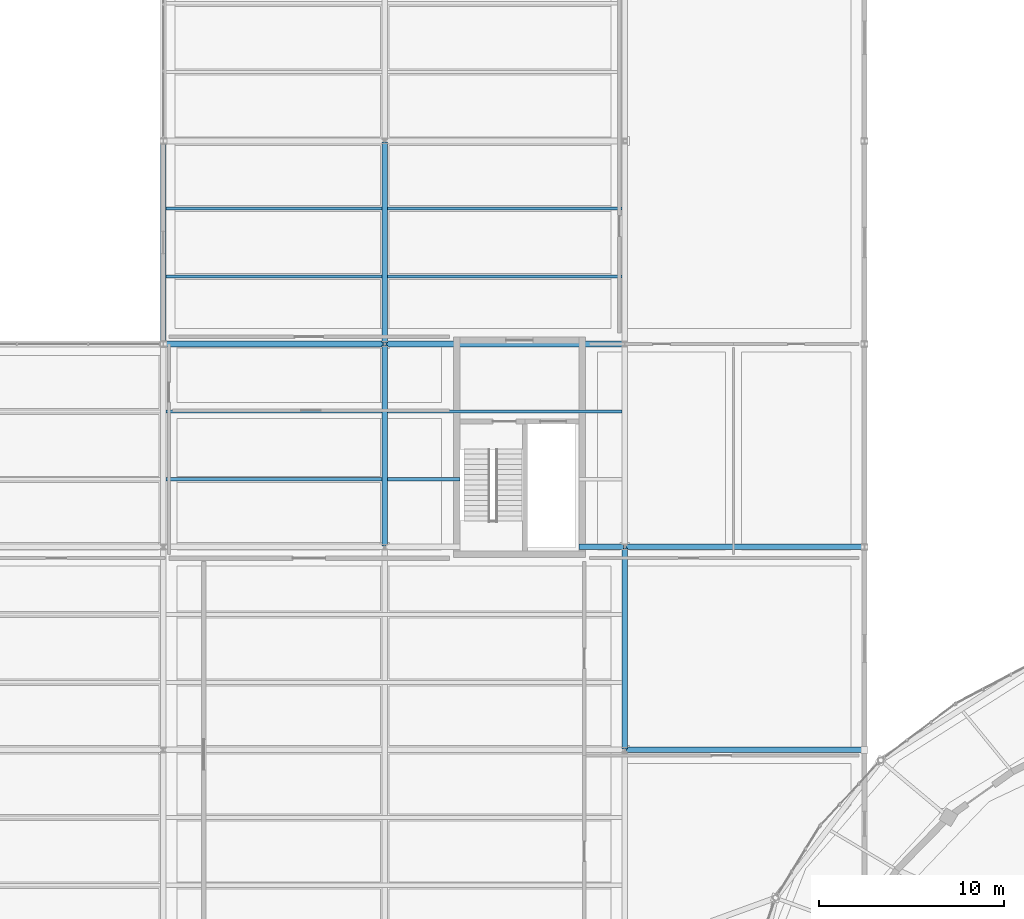
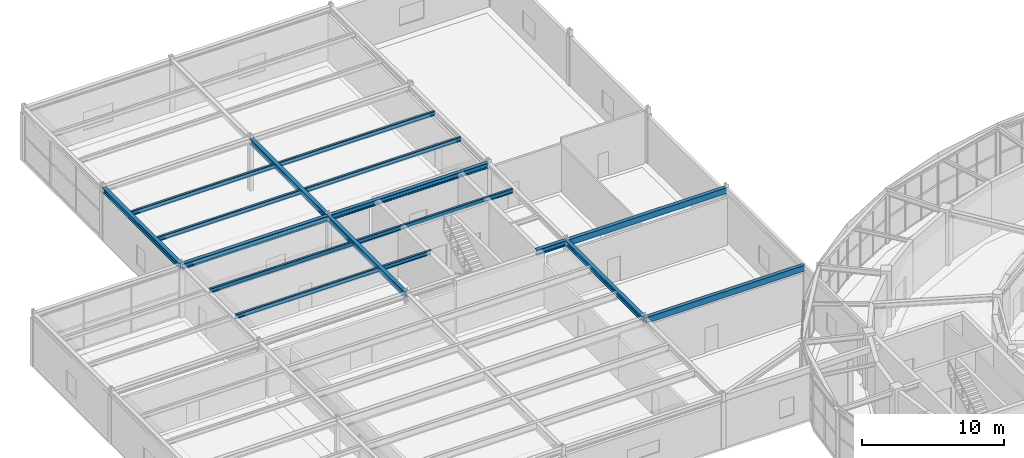
# One storey, part 53 of 108: 17 beams.
"""IFC4 building model written with IfcOpenShell, lengths in metres."""

import ifcopenshell
import ifcopenshell.guid

model = None  # the IFC model being written
_history = None  # IfcOwnerHistory: only IFC2X3 demands one
_inside = {}  # id of a spatial element -> (the spatial element, [elements in it])
_under = {}  # id of a project, library or spatial element -> (it, [spatial elements below it])
_declared = {}  # id of a project -> (the project, [libraries it declares])
_typed = {}  # id of a type object -> (the type object, [elements of that type])
_made_of = {}  # id of a material, layer set ... -> (it, [elements and type objects made of it])


def new_model(schema):
    """Start an empty IFC model of exactly this schema.

    Asked for "IFC4X3", IfcOpenShell would pick the latest addendum, in which some entities
    have other attributes; the version numbers below select the first issue.
    IFC2X3 requires an IfcOwnerHistory on every rooted entity: one is made here for all.
    """
    global model, _history
    if schema == "IFC4X3":
        model = ifcopenshell.file(schema_version=(4, 3, 0, 0))
    else:
        model = ifcopenshell.file(schema=schema)
    _inside.clear()
    _under.clear()
    _declared.clear()
    _typed.clear()
    _made_of.clear()
    _history = None
    if model.schema == "IFC2X3":
        org = make("IfcOrganization", Name="unknown")
        user = make(
            "IfcPersonAndOrganization",
            ThePerson=make("IfcPerson", FamilyName="unknown"),
            TheOrganization=org,
        )
        app = make(
            "IfcApplication",
            ApplicationDeveloper=org,
            Version="unknown",
            ApplicationFullName="unknown",
            ApplicationIdentifier="unknown",
        )
        _history = make(
            "IfcOwnerHistory",
            OwningUser=user,
            OwningApplication=app,
            ChangeAction="ADDED",
            CreationDate=0,
        )
    return model


def make(cls, **values):
    """One entity of the class cls with the attributes given. An attribute that is None is left unset."""
    return model.create_entity(
        cls, **{name: value for name, value in values.items() if value is not None}
    )


def rooted(cls, **values):
    """An entity with a GlobalId (a new one), such as an element, a storey or a relation."""
    return make(cls, GlobalId=ifcopenshell.guid.new(), OwnerHistory=_history, **values)


def si_unit(unit_type, name, prefix=None):
    """IfcSIUnit, for example si_unit("LENGTHUNIT", "METRE", prefix="MILLI")."""
    return make("IfcSIUnit", UnitType=unit_type, Prefix=prefix, Name=name)


def assignment(units):
    """IfcUnitAssignment: the units of a project."""
    return None if units is None else make("IfcUnitAssignment", Units=units)


def point(xyz):
    """IfcCartesianPoint."""
    return None if xyz is None else make("IfcCartesianPoint", Coordinates=xyz)


def direction(xyz):
    """IfcDirection."""
    return None if xyz is None else make("IfcDirection", DirectionRatios=xyz)


def frame(location, z_axis=None, x_axis=None):
    """IfcAxis2Placement3D, a coordinate frame: its origin and axes. An axis left out is left unset."""
    return make(
        "IfcAxis2Placement3D",
        Location=point(location),
        Axis=direction(z_axis),
        RefDirection=direction(x_axis),
    )


def frame_2d(location, x_axis=None):
    """IfcAxis2Placement2D, a coordinate frame in the plane: its origin and x axis."""
    return make(
        "IfcAxis2Placement2D", Location=point(location), RefDirection=direction(x_axis)
    )


def origin():
    """The frame at (0, 0, 0) with its axes left unset."""
    return frame((0.0, 0.0, 0.0))


def origin_2d():
    """The frame at (0, 0) in the plane with its x axis left unset."""
    return frame_2d((0.0, 0.0))


def place(relative_to, where):
    """IfcLocalPlacement: puts the frame where relative to a parent placement (None: the world)."""
    return make(
        "IfcLocalPlacement", PlacementRelTo=relative_to, RelativePlacement=where
    )


def context(
    kind, dimensions, precision=None, world=None, true_north=None, identifier=None
):
    """IfcGeometricRepresentationContext, for example the 3D "Model" context."""
    return make(
        "IfcGeometricRepresentationContext",
        ContextIdentifier=identifier,
        ContextType=kind,
        CoordinateSpaceDimension=dimensions,
        Precision=precision,
        WorldCoordinateSystem=world,
        TrueNorth=true_north,
    )


def subcontext(parent, identifier, kind, view, scale=None):
    """IfcGeometricRepresentationSubContext, for example "Body" below "Model"."""
    return make(
        "IfcGeometricRepresentationSubContext",
        ContextIdentifier=identifier,
        ContextType=kind,
        ParentContext=parent,
        TargetScale=scale,
        TargetView=view,
    )


def project(units=None, contexts=None):
    """IfcProject with its units and contexts."""
    return rooted(
        "IfcProject",
        Name="project",
        RepresentationContexts=contexts,
        UnitsInContext=assignment(units),
    )


def spatial(cls, under=None, at=None, **own):
    """A site, building, storey or space (cls), placed at a placement, below another one or the project."""
    s = rooted(cls, ObjectPlacement=at, **own)
    if under is not None:
        _under.setdefault(under.id(), (under, []))[1].append(s)
    return s


def profile(cls, at=None, kind="AREA", **sizes):
    """A parametric profile (cls). Its sizes go by their IFC names, for example OverallWidth=200.0."""
    return make(cls, ProfileType=kind, Position=at, **sizes)


def hollow_rectangle(**sizes):
    """IfcRectangleHollowProfileDef."""
    return profile("IfcRectangleHollowProfileDef", **sizes)


def i_section(**sizes):
    """IfcIShapeProfileDef."""
    return profile("IfcIShapeProfileDef", **sizes)


def extrude(swept, where, along, depth):
    """IfcExtrudedAreaSolid: the profile swept, set in the frame where, extruded along a direction by depth."""
    return make(
        "IfcExtrudedAreaSolid",
        SweptArea=swept,
        Position=where,
        ExtrudedDirection=direction(along),
        Depth=depth,
    )


def shape(context_of_items, identifier, shape_type, items):
    """IfcShapeRepresentation: the items that make up one representation, for example the "Body"."""
    return make(
        "IfcShapeRepresentation",
        ContextOfItems=context_of_items,
        RepresentationIdentifier=identifier,
        RepresentationType=shape_type,
        Items=items,
    )


def material(Name=None, Category=None):
    """IfcMaterial."""
    return make("IfcMaterial", Name=Name, Category=Category)


def material_profile(
    of_material, cross_section, Name=None, Category=None, Priority=None
):
    """IfcMaterialProfile: a cross section and its material."""
    return make(
        "IfcMaterialProfile",
        Name=Name,
        Material=of_material,
        Profile=cross_section,
        Priority=Priority,
        Category=Category,
    )


def profile_set(profiles, Name=None, composite=None):
    """IfcMaterialProfileSet."""
    return make(
        "IfcMaterialProfileSet",
        Name=Name,
        MaterialProfiles=profiles,
        CompositeProfile=composite,
    )


def made_of(thing, what):
    """Note that an element or type object is made of a material, layer set ...; save() writes the relation."""
    if what is not None:
        _made_of.setdefault(what.id(), (what, []))[1].append(thing)
    return thing


def type_object(cls, material=None, **own):
    """A type object (cls), such as IfcWallType, which elements share."""
    return made_of(rooted(cls, **own), material)


def element(
    cls,
    number,
    at=None,
    inside=None,
    cuts=None,
    type_object=None,
    material=None,
    context=None,
    identifier="Body",
    shape_type=None,
    held_by="IfcProductDefinitionShape",
    body=None,
    shapes=None,
    **own,
):
    """One element of the class cls, such as IfcWall. Its Tag is "e" and its number.

    at: its placement. inside: the storey or other place that contains it. cuts: it is an
    opening in that element (IfcRelVoidsElement). A single representation is given by context,
    identifier, shape_type and body (its items); several are given by shapes. held_by: the class
    of the entity that holds the representations. save() writes the other relations.
    """
    e = rooted(cls, Tag="e%d" % number, ObjectPlacement=at, **own)
    if body is not None:
        shapes = [shape(context, identifier, shape_type, body)]
    if shapes is not None:
        e.Representation = make(held_by, Representations=shapes)
    if inside is not None:
        _inside.setdefault(inside.id(), (inside, []))[1].append(e)
    if cuts is not None:
        rooted(
            "IfcRelVoidsElement", RelatingBuildingElement=cuts, RelatedOpeningElement=e
        )
    if type_object is not None:
        _typed.setdefault(type_object.id(), (type_object, []))[1].append(e)
    return made_of(e, material)


def aggregate(whole, parts):
    """IfcRelAggregates: a whole, such as a stair, and the parts it consists of."""
    return rooted("IfcRelAggregates", RelatingObject=whole, RelatedObjects=parts)


def save(model, path):
    """Write the relations noted so far, then the file.

    IfcRelAggregates (storeys below a building ...), IfcRelContainedInSpatialStructure (elements
    in a storey), IfcRelDefinesByType, IfcRelAssociatesMaterial and IfcRelDeclares: one each for
    every whole, place, type object, material and project.
    """
    for whole, parts in _under.values():
        aggregate(whole, parts)
    for where, things in _inside.values():
        rooted(
            "IfcRelContainedInSpatialStructure",
            RelatedElements=things,
            RelatingStructure=where,
        )
    for kind, things in _typed.values():
        rooted("IfcRelDefinesByType", RelatedObjects=things, RelatingType=kind)
    for what, things in _made_of.values():
        rooted("IfcRelAssociatesMaterial", RelatedObjects=things, RelatingMaterial=what)
    for by, libraries in _declared.values():
        rooted("IfcRelDeclares", RelatingContext=by, RelatedDefinitions=libraries)
    model.write(path)


model = new_model("IFC4")

# Units and contexts
model_context = context("Model", 3, precision=1e-05, world=origin(), true_north=direction((0.0, 1.0)))
body_context = subcontext(model_context, "Body", "Model", "MODEL_VIEW")
ifc_project = project(units=[si_unit("LENGTHUNIT", "METRE"), si_unit("AREAUNIT", "SQUARE_METRE"), si_unit("VOLUMEUNIT", "CUBIC_METRE"), si_unit("PLANEANGLEUNIT", "RADIAN"), si_unit("MASSUNIT", "GRAM", prefix="KILO")], contexts=[model_context])

# Site, building, storey
site_placement = place(None, origin())
site = spatial("IfcSite", under=ifc_project, at=site_placement, CompositionType="ELEMENT")
building_placement = place(site_placement, origin())
building = spatial("IfcBuilding", under=site, at=building_placement, Name="Tarnveldt Headland Concert Hall", CompositionType="ELEMENT")
storey_placement = place(building_placement, frame((0.0, 0.0, 9.60009765625)))
storey = spatial("IfcBuildingStorey", under=building, at=storey_placement, Name="L02", CompositionType="ELEMENT", Elevation=9.60009765625)

# Beams
ifc_material = material(Name="Steel S355", Category="steel")
ifc_material_profile_1 = material_profile(ifc_material, i_section(OverallWidth=0.300048828125, OverallDepth=0.449951171875, WebThickness=0.013916015625, FlangeThickness=0.02587890625, FilletRadius=0.027099609375, at=origin_2d()), Name="HEB450", Category="steel")
ifc_profile_set_1 = profile_set([ifc_material_profile_1], Name="Steel S355")
beam_type_1 = type_object("IfcBeamType", Name="SB-HEB450", PredefinedType="BEAM", material=ifc_profile_set_1)
beam_1_placement = place(storey_placement, frame((42.02001953125, 82.0, 4.324951171875), z_axis=(1.0, 0.0, 0.0), x_axis=(0.0, 1.0, 0.0)))
element("IfcBeam", 1, at=beam_1_placement, inside=storey, type_object=beam_type_1, Name="Framing beam L02-1174", PredefinedType="BEAM", context=body_context, shape_type="SweptSolid", body=[
    extrude(i_section(OverallWidth=0.300048828125, OverallDepth=0.449951171875, WebThickness=0.013916015625, FlangeThickness=0.02587890625, FilletRadius=0.027099609375, at=origin_2d()), origin(), (0.0, 0.0, 1.0), 2.419921875),
])
beam_2_placement = place(storey_placement, frame((19.56005859375, 93.0, 4.324951171875), z_axis=(1.0, 0.0, 0.0), x_axis=(0.0, 1.0, 0.0)))
element("IfcBeam", 2, at=beam_2_placement, inside=storey, type_object=beam_type_1, Name="Framing beam L02-1176", PredefinedType="BEAM", context=body_context, shape_type="SweptSolid", body=[
    extrude(i_section(OverallWidth=0.300048828125, OverallDepth=0.449951171875, WebThickness=0.013916015625, FlangeThickness=0.02587890625, FilletRadius=0.027099609375, at=origin_2d()), origin(), (0.0, 0.0, 1.0), 11.8798828125),
])
beam_3_placement = place(storey_placement, frame((31.56005859375, 93.0, 4.324951171875), z_axis=(1.0, 0.0, 0.0), x_axis=(0.0, 1.0, 0.0)))
element("IfcBeam", 3, at=beam_3_placement, inside=storey, type_object=beam_type_1, Name="Framing beam L02-1177", PredefinedType="BEAM", context=body_context, shape_type="SweptSolid", body=[
    extrude(i_section(OverallWidth=0.300048828125, OverallDepth=0.449951171875, WebThickness=0.013916015625, FlangeThickness=0.02587890625, FilletRadius=0.027099609375, at=origin_2d()), origin(), (0.0, 0.0, 1.0), 12.8798828125),
])
for number, where, z_axis, x_axis, name in (
    (4, (19.5, 93.06005859375, 4.324951171875), (0.0, 1.0, 0.0), (-1.0, 0.0, 0.0), "Framing beam L02-1200"),
    (5, (31.5, 82.06005859375, 4.324951171875), (0.0, 1.0, 0.0), (-1.0, 0.0, 0.0), "Framing beam L02-1207"),
    (6, (31.5, 93.06005859375, 4.324951171875), (0.0, 1.0, 0.0), (-1.0, 0.0, 0.0), "Framing beam L02-1211"),
    (7, (44.5, 71.06005859375, 4.324951171875), (0.0, 1.0, 0.0), (-1.0, 0.0, 0.0), "Framing beam L02-1218"),
):
    element("IfcBeam", number, at=place(storey_placement, frame(where, z_axis=z_axis, x_axis=x_axis)), inside=storey, type_object=beam_type_1, Name=name, PredefinedType="BEAM", context=body_context, shape_type="SweptSolid", body=[
        extrude(i_section(OverallWidth=0.300048828125, OverallDepth=0.449951171875, WebThickness=0.013916015625, FlangeThickness=0.02587890625, FilletRadius=0.027099609375, at=origin_2d()), origin(), (0.0, 0.0, 1.0), 10.8798828125),
    ])
ifc_material_profile_2 = material_profile(ifc_material, i_section(OverallWidth=0.169921875, OverallDepth=0.360107421875, WebThickness=0.008056640625, FlangeThickness=0.0126953125, FilletRadius=0.01806640625, at=origin_2d()), Name="IPE360", Category="steel")
ifc_profile_set_2 = profile_set([ifc_material_profile_2], Name="Steel S355")
beam_type_2 = type_object("IfcBeamType", Name="SB-IPE360", PredefinedType="JOIST", material=ifc_profile_set_2)
for number, where, z_axis, x_axis, name in (
    (8, (19.64990234375, 85.6669921875, 4.369873046875), (1.0, 0.0, 0.0), (0.0, 1.0, 0.0), "Framing beam L02-1198"),
    (9, (19.64990234375, 89.3330078125, 4.369873046875), (1.0, 0.0, 0.0), (0.0, 1.0, 0.0), "Framing beam L02-1199"),
    (10, (19.64990234375, 96.6669921875, 4.369873046875), (1.0, 0.0, 0.0), (0.0, 1.0, 0.0), "Framing beam L02-1201"),
    (11, (19.64990234375, 100.3330078125, 4.369873046875), (1.0, 0.0, 0.0), (0.0, 1.0, 0.0), "Framing beam L02-1202"),
):
    element("IfcBeam", number, at=place(storey_placement, frame(where, z_axis=z_axis, x_axis=x_axis)), inside=storey, type_object=beam_type_2, Name=name, PredefinedType="JOIST", context=body_context, shape_type="SweptSolid", body=[
        extrude(i_section(OverallWidth=0.169921875, OverallDepth=0.360107421875, WebThickness=0.008056640625, FlangeThickness=0.0126953125, FilletRadius=0.01806640625, at=origin_2d()), origin(), (0.0, 0.0, 1.0), 11.7001953125),
    ])
beam_4_placement = place(storey_placement, frame((31.64990234375, 85.6669921875, 4.369873046875), z_axis=(1.0, 0.0, 0.0), x_axis=(0.0, 1.0, 0.0)))
element("IfcBeam", 12, at=beam_4_placement, inside=storey, type_object=beam_type_2, Name="Framing beam L02-1208", PredefinedType="JOIST", context=body_context, shape_type="SweptSolid", body=[
    extrude(i_section(OverallWidth=0.169921875, OverallDepth=0.360107421875, WebThickness=0.008056640625, FlangeThickness=0.0126953125, FilletRadius=0.01806640625, at=origin_2d()), origin(), (0.0, 0.0, 1.0), 3.93017578125),
])
for number, where, z_axis, x_axis, name in (
    (13, (31.64990234375, 89.3330078125, 4.369873046875), (1.0, 0.0, 0.0), (0.0, 1.0, 0.0), "Framing beam L02-1210"),
    (14, (31.64990234375, 96.6669921875, 4.369873046875), (1.0, 0.0, 0.0), (0.0, 1.0, 0.0), "Framing beam L02-1212"),
    (15, (31.64990234375, 100.3330078125, 4.369873046875), (1.0, 0.0, 0.0), (0.0, 1.0, 0.0), "Framing beam L02-1213"),
):
    element("IfcBeam", number, at=place(storey_placement, frame(where, z_axis=z_axis, x_axis=x_axis)), inside=storey, type_object=beam_type_2, Name=name, PredefinedType="JOIST", context=body_context, shape_type="SweptSolid", body=[
        extrude(i_section(OverallWidth=0.169921875, OverallDepth=0.360107421875, WebThickness=0.008056640625, FlangeThickness=0.0126953125, FilletRadius=0.01806640625, at=origin_2d()), origin(), (0.0, 0.0, 1.0), 12.7001953125),
    ])
ifc_material_profile_3 = material_profile(ifc_material, hollow_rectangle(XDim=0.300048828125, YDim=0.5, WallThickness=0.02001953125, at=origin_2d()), Name="RHS 500x300x20", Category="steel")
ifc_profile_set_3 = profile_set([ifc_material_profile_3], Name="Steel S355")
beam_type_3 = type_object("IfcBeamType", Name="SB-RHS500", PredefinedType="BEAM", material=ifc_profile_set_3)
for number, where, z_axis, x_axis, name in (
    (16, (44.56005859375, 71.0, 4.289794921875), (1.0, 0.0, 0.0), (0.0, 1.0, 0.0), "Framing beam L02-1223"),
    (17, (44.56005859375, 82.0, 4.289794921875), (1.0, 0.0, 0.0), (0.0, 1.0, 0.0), "Framing beam L02-1224"),
):
    element("IfcBeam", number, at=place(storey_placement, frame(where, z_axis=z_axis, x_axis=x_axis)), inside=storey, type_object=beam_type_3, Name=name, PredefinedType="BEAM", context=body_context, shape_type="SweptSolid", body=[
        extrude(hollow_rectangle(XDim=0.300048828125, YDim=0.5, WallThickness=0.02001953125, at=origin_2d()), origin(), (0.0, 0.0, 1.0), 12.8798828125),
    ])

save(model, "model.ifc")
